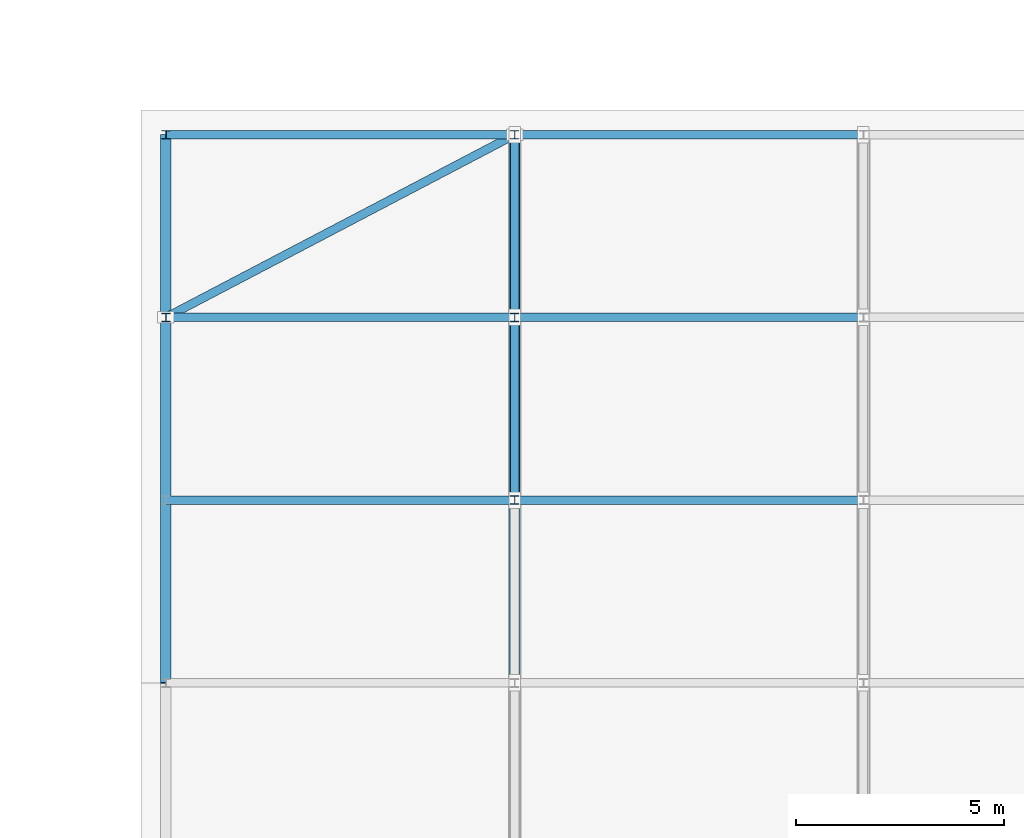
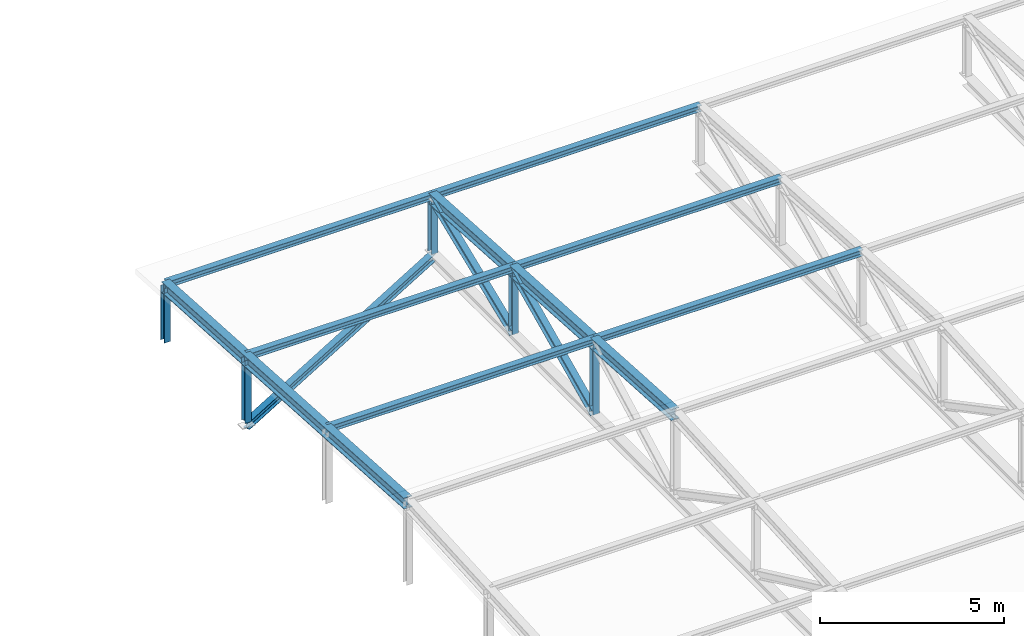
# One storey, part 10 of 49: 16 members.
"""IFC4 building model written with IfcOpenShell, lengths in metres."""

import ifcopenshell
import ifcopenshell.guid

model = None  # the IFC model being written
_history = None  # IfcOwnerHistory: only IFC2X3 demands one
_inside = {}  # id of a spatial element -> (the spatial element, [elements in it])
_under = {}  # id of a project, library or spatial element -> (it, [spatial elements below it])
_declared = {}  # id of a project -> (the project, [libraries it declares])
_typed = {}  # id of a type object -> (the type object, [elements of that type])
_made_of = {}  # id of a material, layer set ... -> (it, [elements and type objects made of it])


def new_model(schema):
    """Start an empty IFC model of exactly this schema.

    Asked for "IFC4X3", IfcOpenShell would pick the latest addendum, in which some entities
    have other attributes; the version numbers below select the first issue.
    IFC2X3 requires an IfcOwnerHistory on every rooted entity: one is made here for all.
    """
    global model, _history
    if schema == "IFC4X3":
        model = ifcopenshell.file(schema_version=(4, 3, 0, 0))
    else:
        model = ifcopenshell.file(schema=schema)
    _inside.clear()
    _under.clear()
    _declared.clear()
    _typed.clear()
    _made_of.clear()
    _history = None
    if model.schema == "IFC2X3":
        org = make("IfcOrganization", Name="unknown")
        user = make(
            "IfcPersonAndOrganization",
            ThePerson=make("IfcPerson", FamilyName="unknown"),
            TheOrganization=org,
        )
        app = make(
            "IfcApplication",
            ApplicationDeveloper=org,
            Version="unknown",
            ApplicationFullName="unknown",
            ApplicationIdentifier="unknown",
        )
        _history = make(
            "IfcOwnerHistory",
            OwningUser=user,
            OwningApplication=app,
            ChangeAction="ADDED",
            CreationDate=0,
        )
    return model


def make(cls, **values):
    """One entity of the class cls with the attributes given. An attribute that is None is left unset."""
    return model.create_entity(
        cls, **{name: value for name, value in values.items() if value is not None}
    )


def rooted(cls, **values):
    """An entity with a GlobalId (a new one), such as an element, a storey or a relation."""
    return make(cls, GlobalId=ifcopenshell.guid.new(), OwnerHistory=_history, **values)


def si_unit(unit_type, name, prefix=None):
    """IfcSIUnit, for example si_unit("LENGTHUNIT", "METRE", prefix="MILLI")."""
    return make("IfcSIUnit", UnitType=unit_type, Prefix=prefix, Name=name)


def assignment(units):
    """IfcUnitAssignment: the units of a project."""
    return None if units is None else make("IfcUnitAssignment", Units=units)


def point(xyz):
    """IfcCartesianPoint."""
    return None if xyz is None else make("IfcCartesianPoint", Coordinates=xyz)


def direction(xyz):
    """IfcDirection."""
    return None if xyz is None else make("IfcDirection", DirectionRatios=xyz)


def frame(location, z_axis=None, x_axis=None):
    """IfcAxis2Placement3D, a coordinate frame: its origin and axes. An axis left out is left unset."""
    return make(
        "IfcAxis2Placement3D",
        Location=point(location),
        Axis=direction(z_axis),
        RefDirection=direction(x_axis),
    )


def frame_2d(location, x_axis=None):
    """IfcAxis2Placement2D, a coordinate frame in the plane: its origin and x axis."""
    return make(
        "IfcAxis2Placement2D", Location=point(location), RefDirection=direction(x_axis)
    )


def origin():
    """The frame at (0, 0, 0) with its axes left unset."""
    return frame((0.0, 0.0, 0.0))


def origin_2d():
    """The frame at (0, 0) in the plane with its x axis left unset."""
    return frame_2d((0.0, 0.0))


def place(relative_to, where):
    """IfcLocalPlacement: puts the frame where relative to a parent placement (None: the world)."""
    return make(
        "IfcLocalPlacement", PlacementRelTo=relative_to, RelativePlacement=where
    )


def context(
    kind, dimensions, precision=None, world=None, true_north=None, identifier=None
):
    """IfcGeometricRepresentationContext, for example the 3D "Model" context."""
    return make(
        "IfcGeometricRepresentationContext",
        ContextIdentifier=identifier,
        ContextType=kind,
        CoordinateSpaceDimension=dimensions,
        Precision=precision,
        WorldCoordinateSystem=world,
        TrueNorth=true_north,
    )


def subcontext(parent, identifier, kind, view, scale=None):
    """IfcGeometricRepresentationSubContext, for example "Body" below "Model"."""
    return make(
        "IfcGeometricRepresentationSubContext",
        ContextIdentifier=identifier,
        ContextType=kind,
        ParentContext=parent,
        TargetScale=scale,
        TargetView=view,
    )


def project(units=None, contexts=None):
    """IfcProject with its units and contexts."""
    return rooted(
        "IfcProject",
        Name="project",
        RepresentationContexts=contexts,
        UnitsInContext=assignment(units),
    )


def spatial(cls, under=None, at=None, **own):
    """A site, building, storey or space (cls), placed at a placement, below another one or the project."""
    s = rooted(cls, ObjectPlacement=at, **own)
    if under is not None:
        _under.setdefault(under.id(), (under, []))[1].append(s)
    return s


def profile(cls, at=None, kind="AREA", **sizes):
    """A parametric profile (cls). Its sizes go by their IFC names, for example OverallWidth=200.0."""
    return make(cls, ProfileType=kind, Position=at, **sizes)


def i_section(**sizes):
    """IfcIShapeProfileDef."""
    return profile("IfcIShapeProfileDef", **sizes)


def extrude(swept, where, along, depth):
    """IfcExtrudedAreaSolid: the profile swept, set in the frame where, extruded along a direction by depth."""
    return make(
        "IfcExtrudedAreaSolid",
        SweptArea=swept,
        Position=where,
        ExtrudedDirection=direction(along),
        Depth=depth,
    )


def shape(context_of_items, identifier, shape_type, items):
    """IfcShapeRepresentation: the items that make up one representation, for example the "Body"."""
    return make(
        "IfcShapeRepresentation",
        ContextOfItems=context_of_items,
        RepresentationIdentifier=identifier,
        RepresentationType=shape_type,
        Items=items,
    )


def material(Name=None, Category=None):
    """IfcMaterial."""
    return make("IfcMaterial", Name=Name, Category=Category)


def material_profile(
    of_material, cross_section, Name=None, Category=None, Priority=None
):
    """IfcMaterialProfile: a cross section and its material."""
    return make(
        "IfcMaterialProfile",
        Name=Name,
        Material=of_material,
        Profile=cross_section,
        Priority=Priority,
        Category=Category,
    )


def profile_set(profiles, Name=None, composite=None):
    """IfcMaterialProfileSet."""
    return make(
        "IfcMaterialProfileSet",
        Name=Name,
        MaterialProfiles=profiles,
        CompositeProfile=composite,
    )


def made_of(thing, what):
    """Note that an element or type object is made of a material, layer set ...; save() writes the relation."""
    if what is not None:
        _made_of.setdefault(what.id(), (what, []))[1].append(thing)
    return thing


def type_object(cls, material=None, **own):
    """A type object (cls), such as IfcWallType, which elements share."""
    return made_of(rooted(cls, **own), material)


def element(
    cls,
    number,
    at=None,
    inside=None,
    cuts=None,
    type_object=None,
    material=None,
    context=None,
    identifier="Body",
    shape_type=None,
    held_by="IfcProductDefinitionShape",
    body=None,
    shapes=None,
    **own,
):
    """One element of the class cls, such as IfcWall. Its Tag is "e" and its number.

    at: its placement. inside: the storey or other place that contains it. cuts: it is an
    opening in that element (IfcRelVoidsElement). A single representation is given by context,
    identifier, shape_type and body (its items); several are given by shapes. held_by: the class
    of the entity that holds the representations. save() writes the other relations.
    """
    e = rooted(cls, Tag="e%d" % number, ObjectPlacement=at, **own)
    if body is not None:
        shapes = [shape(context, identifier, shape_type, body)]
    if shapes is not None:
        e.Representation = make(held_by, Representations=shapes)
    if inside is not None:
        _inside.setdefault(inside.id(), (inside, []))[1].append(e)
    if cuts is not None:
        rooted(
            "IfcRelVoidsElement", RelatingBuildingElement=cuts, RelatedOpeningElement=e
        )
    if type_object is not None:
        _typed.setdefault(type_object.id(), (type_object, []))[1].append(e)
    return made_of(e, material)


def aggregate(whole, parts):
    """IfcRelAggregates: a whole, such as a stair, and the parts it consists of."""
    return rooted("IfcRelAggregates", RelatingObject=whole, RelatedObjects=parts)


def save(model, path):
    """Write the relations noted so far, then the file.

    IfcRelAggregates (storeys below a building ...), IfcRelContainedInSpatialStructure (elements
    in a storey), IfcRelDefinesByType, IfcRelAssociatesMaterial and IfcRelDeclares: one each for
    every whole, place, type object, material and project.
    """
    for whole, parts in _under.values():
        aggregate(whole, parts)
    for where, things in _inside.values():
        rooted(
            "IfcRelContainedInSpatialStructure",
            RelatedElements=things,
            RelatingStructure=where,
        )
    for kind, things in _typed.values():
        rooted("IfcRelDefinesByType", RelatedObjects=things, RelatingType=kind)
    for what, things in _made_of.values():
        rooted("IfcRelAssociatesMaterial", RelatedObjects=things, RelatingMaterial=what)
    for by, libraries in _declared.values():
        rooted("IfcRelDeclares", RelatingContext=by, RelatedDefinitions=libraries)
    model.write(path)


model = new_model("IFC4")

# Units and contexts
model_context = context("Model", 3, precision=1e-05, world=origin(), true_north=direction((0.0, 1.0)))
body_context = subcontext(model_context, "Body", "Model", "MODEL_VIEW")
ifc_project = project(units=[si_unit("LENGTHUNIT", "METRE"), si_unit("AREAUNIT", "SQUARE_METRE"), si_unit("VOLUMEUNIT", "CUBIC_METRE"), si_unit("PLANEANGLEUNIT", "RADIAN"), si_unit("MASSUNIT", "GRAM", prefix="KILO")], contexts=[model_context])

# Site, building, storey
site_placement = place(None, origin())
site = spatial("IfcSite", under=ifc_project, at=site_placement, CompositionType="ELEMENT")
building_placement = place(site_placement, origin())
building = spatial("IfcBuilding", under=site, at=building_placement, Name="Kemercrest Conservatory and Botanical Centre", CompositionType="ELEMENT")
storey_placement = place(building_placement, frame((0.0, 0.0, 13.199951171875)))
storey = spatial("IfcBuildingStorey", under=building, at=storey_placement, Name="L03", CompositionType="ELEMENT", Elevation=13.199951171875)

# Members
ifc_material = material(Name="Steel CSA G40.21 350W", Category="steel")
ifc_material_profile_1 = material_profile(ifc_material, i_section(OverallWidth=0.202880859375, OverallDepth=0.251953125, WebThickness=0.008056640625, FlangeThickness=0.013427734375, FilletRadius=0.010986328125, at=origin_2d()), Name="W250X58")
ifc_profile_set_1 = profile_set([ifc_material_profile_1], Name="Steel CSA G40.21 350W")
member_type_1 = type_object("IfcMemberType", Name="BR-LAT250", PredefinedType="BRACE", material=ifc_profile_set_1)
member_1_placement = place(storey_placement, frame((66.800048828125, 43.199951171875, -0.14990234375), z_axis=(-0.885839094012, -0.463992564079, 0.0), x_axis=(0.463992564079, -0.885839094012, 0.0)))
element("IfcMember", 1, at=member_1_placement, inside=storey, type_object=member_type_1, Name="Roof diaphragm corner wind brace BR-LAT250", PredefinedType="BRACE", context=body_context, shape_type="SweptSolid", body=[
    extrude(i_section(OverallWidth=0.202880859375, OverallDepth=0.251953125, WebThickness=0.008056640625, FlangeThickness=0.013427734375, FilletRadius=0.010986328125, at=origin_2d()), origin(), (0.0, 0.0, 1.0), 9.482666015625),
])
ifc_material_profile_2 = material_profile(ifc_material, i_section(OverallWidth=0.202880859375, OverallDepth=0.202880859375, WebThickness=0.007080078125, FlangeThickness=0.010986328125, FilletRadius=0.010009765625, at=origin_2d()), Name="W200X46")
ifc_profile_set_2 = profile_set([ifc_material_profile_2], Name="Steel CSA G40.21 350W")
member_type_2 = type_object("IfcMemberType", Name="PR-W200", PredefinedType="PURLIN", material=ifc_profile_set_2)
member_2_placement = place(storey_placement, frame((58.39990234375, 34.39990234375, 2.413330078125), z_axis=(1.0, 0.0, 0.0), x_axis=(0.0, 1.0, 0.0)))
element("IfcMember", 2, at=member_2_placement, inside=storey, type_object=member_type_2, Name="Auditorium roof purlin P4", PredefinedType="PURLIN", context=body_context, shape_type="SweptSolid", body=[
    extrude(i_section(OverallWidth=0.202880859375, OverallDepth=0.202880859375, WebThickness=0.007080078125, FlangeThickness=0.010986328125, FilletRadius=0.010009765625, at=origin_2d()), origin(), (0.0, 0.0, 1.0), 8.400146484375),
])
member_3_placement = place(storey_placement, frame((66.800048828125, 34.39990234375, 2.413330078125), z_axis=(1.0, 0.0, 0.0), x_axis=(0.0, 1.0, 0.0)))
element("IfcMember", 3, at=member_3_placement, inside=storey, type_object=member_type_2, Name="Auditorium roof purlin P4", PredefinedType="PURLIN", context=body_context, shape_type="SweptSolid", body=[
    extrude(i_section(OverallWidth=0.202880859375, OverallDepth=0.202880859375, WebThickness=0.007080078125, FlangeThickness=0.010986328125, FilletRadius=0.010009765625, at=origin_2d()), origin(), (0.0, 0.0, 1.0), 8.39990234375),
])
member_4_placement = place(storey_placement, frame((58.39990234375, 38.800048828125, 2.146728515625), z_axis=(1.0, 0.0, 0.0), x_axis=(0.0, 1.0, 0.0)))
element("IfcMember", 4, at=member_4_placement, inside=storey, type_object=member_type_2, Name="Auditorium roof purlin P5", PredefinedType="PURLIN", context=body_context, shape_type="SweptSolid", body=[
    extrude(i_section(OverallWidth=0.202880859375, OverallDepth=0.202880859375, WebThickness=0.007080078125, FlangeThickness=0.010986328125, FilletRadius=0.010009765625, at=origin_2d()), origin(), (0.0, 0.0, 1.0), 8.400146484375),
])
member_5_placement = place(storey_placement, frame((66.800048828125, 38.800048828125, 2.146728515625), z_axis=(1.0, 0.0, 0.0), x_axis=(0.0, 1.0, 0.0)))
element("IfcMember", 5, at=member_5_placement, inside=storey, type_object=member_type_2, Name="Auditorium roof purlin P5", PredefinedType="PURLIN", context=body_context, shape_type="SweptSolid", body=[
    extrude(i_section(OverallWidth=0.202880859375, OverallDepth=0.202880859375, WebThickness=0.007080078125, FlangeThickness=0.010986328125, FilletRadius=0.010009765625, at=origin_2d()), origin(), (0.0, 0.0, 1.0), 8.39990234375),
])
member_6_placement = place(storey_placement, frame((58.39990234375, 43.199951171875, 1.880126953125), z_axis=(1.0, 0.0, 0.0), x_axis=(0.0, 1.0, 0.0)))
element("IfcMember", 6, at=member_6_placement, inside=storey, type_object=member_type_2, Name="Auditorium roof purlin P6", PredefinedType="PURLIN", context=body_context, shape_type="SweptSolid", body=[
    extrude(i_section(OverallWidth=0.202880859375, OverallDepth=0.202880859375, WebThickness=0.007080078125, FlangeThickness=0.010986328125, FilletRadius=0.010009765625, at=origin_2d()), origin(), (0.0, 0.0, 1.0), 8.400146484375),
])
member_7_placement = place(storey_placement, frame((66.800048828125, 43.199951171875, 1.880126953125), z_axis=(1.0, 0.0, 0.0), x_axis=(0.0, 1.0, 0.0)))
element("IfcMember", 7, at=member_7_placement, inside=storey, type_object=member_type_2, Name="Auditorium roof purlin P6", PredefinedType="PURLIN", context=body_context, shape_type="SweptSolid", body=[
    extrude(i_section(OverallWidth=0.202880859375, OverallDepth=0.202880859375, WebThickness=0.007080078125, FlangeThickness=0.010986328125, FilletRadius=0.010009765625, at=origin_2d()), origin(), (0.0, 0.0, 1.0), 8.39990234375),
])
ifc_material_profile_3 = material_profile(ifc_material, i_section(OverallWidth=0.257080078125, OverallDepth=0.363037109375, WebThickness=0.012939453125, FlangeThickness=0.021728515625, FilletRadius=0.01611328125, at=origin_2d()), Name="W360X122")
ifc_profile_set_3 = profile_set([ifc_material_profile_3], Name="Steel CSA G40.21 350W")
member_type_3 = type_object("IfcMemberType", Name="TR-TC360", PredefinedType="CHORD", material=ifc_profile_set_3)
for number, where, z_axis, x_axis, name in (
    (8, (66.800048828125, 30.0, 2.60009765625), (0.0, 0.998168260152, -0.060498962186), (-1.0, 0.0, 0.0), "Auditorium Roof Truss North Top Chord 08"),
    (9, (58.39990234375, 30.0, 2.60009765625), (0.0, 0.998168260152, -0.060498962186), (-1.0, 0.0, 0.0), "Auditorium gable north rafter 07"),
):
    element("IfcMember", number, at=place(storey_placement, frame(where, z_axis=z_axis, x_axis=x_axis)), inside=storey, type_object=member_type_3, Name=name, PredefinedType="CHORD", context=body_context, shape_type="SweptSolid", body=[
        extrude(i_section(OverallWidth=0.257080078125, OverallDepth=0.363037109375, WebThickness=0.012939453125, FlangeThickness=0.021728515625, FilletRadius=0.01611328125, at=origin_2d()), origin(), (0.0, 0.0, 1.0), 13.22412109375),
    ])
ifc_material_profile_4 = material_profile(ifc_material, i_section(OverallWidth=0.202880859375, OverallDepth=0.202880859375, WebThickness=0.007080078125, FlangeThickness=0.010986328125, FilletRadius=0.010009765625, at=origin_2d()), Name="W200X46")
ifc_profile_set_4 = profile_set([ifc_material_profile_4], Name="Steel CSA G40.21 350W")
member_type_4 = type_object("IfcMemberType", Name="TR-VRT200", PredefinedType="BRACE", material=ifc_profile_set_4)
member_8_placement = place(storey_placement, frame((66.800048828125, 34.39990234375, -0.014892578125), z_axis=(0.0, 0.0, 1.0), x_axis=(1.0, 0.0, 0.0)))
element("IfcMember", 10, at=member_8_placement, inside=storey, type_object=member_type_4, Name="Auditorium Roof Truss Vertical Strut 08-V4", PredefinedType="BRACE", context=body_context, shape_type="SweptSolid", body=[
    extrude(i_section(OverallWidth=0.202880859375, OverallDepth=0.202880859375, WebThickness=0.007080078125, FlangeThickness=0.010986328125, FilletRadius=0.010009765625, at=origin_2d()), origin(), (0.0, 0.0, 1.0), 2.34814453125),
])
member_9_placement = place(storey_placement, frame((66.800048828125, 38.800048828125, -0.014892578125), z_axis=(0.0, 0.0, 1.0), x_axis=(1.0, 0.0, 0.0)))
element("IfcMember", 11, at=member_9_placement, inside=storey, type_object=member_type_4, Name="Auditorium Roof Truss Vertical Strut 08-V5", PredefinedType="BRACE", context=body_context, shape_type="SweptSolid", body=[
    extrude(i_section(OverallWidth=0.202880859375, OverallDepth=0.202880859375, WebThickness=0.007080078125, FlangeThickness=0.010986328125, FilletRadius=0.010009765625, at=origin_2d()), origin(), (0.0, 0.0, 1.0), 2.08154296875),
])
member_10_placement = place(storey_placement, frame((66.800048828125, 43.199951171875, -0.014892578125), z_axis=(0.0, 0.0, 1.0), x_axis=(1.0, 0.0, 0.0)))
element("IfcMember", 12, at=member_10_placement, inside=storey, type_object=member_type_4, Name="Auditorium Roof Truss Vertical Strut 08-V6", PredefinedType="BRACE", context=body_context, shape_type="SweptSolid", body=[
    extrude(i_section(OverallWidth=0.202880859375, OverallDepth=0.202880859375, WebThickness=0.007080078125, FlangeThickness=0.010986328125, FilletRadius=0.010009765625, at=origin_2d()), origin(), (0.0, 0.0, 1.0), 1.81494140625),
])
member_11_placement = place(storey_placement, frame((58.39990234375, 38.800048828125, -0.014892578125), z_axis=(0.0, 0.0, 1.0), x_axis=(1.0, 0.0, 0.0)))
element("IfcMember", 13, at=member_11_placement, inside=storey, type_object=member_type_4, Name="Auditorium Gable Post Strut 07-V5", PredefinedType="BRACE", context=body_context, shape_type="SweptSolid", body=[
    extrude(i_section(OverallWidth=0.202880859375, OverallDepth=0.202880859375, WebThickness=0.007080078125, FlangeThickness=0.010986328125, FilletRadius=0.010009765625, at=origin_2d()), origin(), (0.0, 0.0, 1.0), 2.08154296875),
])
member_12_placement = place(storey_placement, frame((58.39990234375, 43.199951171875, -0.014892578125), z_axis=(0.0, 0.0, 1.0), x_axis=(1.0, 0.0, 0.0)))
element("IfcMember", 14, at=member_12_placement, inside=storey, type_object=member_type_4, Name="Auditorium Gable Post Strut 07-V6", PredefinedType="BRACE", context=body_context, shape_type="SweptSolid", body=[
    extrude(i_section(OverallWidth=0.202880859375, OverallDepth=0.202880859375, WebThickness=0.007080078125, FlangeThickness=0.010986328125, FilletRadius=0.010009765625, at=origin_2d()), origin(), (0.0, 0.0, 1.0), 1.81494140625),
])
ifc_material_profile_5 = material_profile(ifc_material, i_section(OverallWidth=0.202880859375, OverallDepth=0.251953125, WebThickness=0.008056640625, FlangeThickness=0.013427734375, FilletRadius=0.010986328125, at=origin_2d()), Name="W250X58")
ifc_profile_set_5 = profile_set([ifc_material_profile_5], Name="Steel CSA G40.21 350W")
member_type_5 = type_object("IfcMemberType", Name="TR-WEB250", PredefinedType="BRACE", material=ifc_profile_set_5)
member_13_placement = place(storey_placement, frame((66.800048828125, 34.39990234375, -0.014892578125), z_axis=(0.0, 0.905541585504, 0.424257512512), x_axis=(-1.0, 0.0, 0.0)))
element("IfcMember", 15, at=member_13_placement, inside=storey, type_object=member_type_5, Name="Auditorium Roof Truss Web Diagonal 08-D4", PredefinedType="BRACE", context=body_context, shape_type="SweptSolid", body=[
    extrude(i_section(OverallWidth=0.202880859375, OverallDepth=0.251953125, WebThickness=0.008056640625, FlangeThickness=0.013427734375, FilletRadius=0.010986328125, at=origin_2d()), origin(), (0.0, 0.0, 1.0), 4.859130859375),
])
member_14_placement = place(storey_placement, frame((66.800048828125, 38.800048828125, -0.014892578125), z_axis=(0.0, 0.925918062478, 0.377724425443), x_axis=(-1.0, 0.0, 0.0)))
element("IfcMember", 16, at=member_14_placement, inside=storey, type_object=member_type_5, Name="Auditorium Roof Truss Web Diagonal 08-D5", PredefinedType="BRACE", context=body_context, shape_type="SweptSolid", body=[
    extrude(i_section(OverallWidth=0.202880859375, OverallDepth=0.251953125, WebThickness=0.008056640625, FlangeThickness=0.013427734375, FilletRadius=0.010986328125, at=origin_2d()), origin(), (0.0, 0.0, 1.0), 4.751953125),
])

save(model, "model.ifc")
